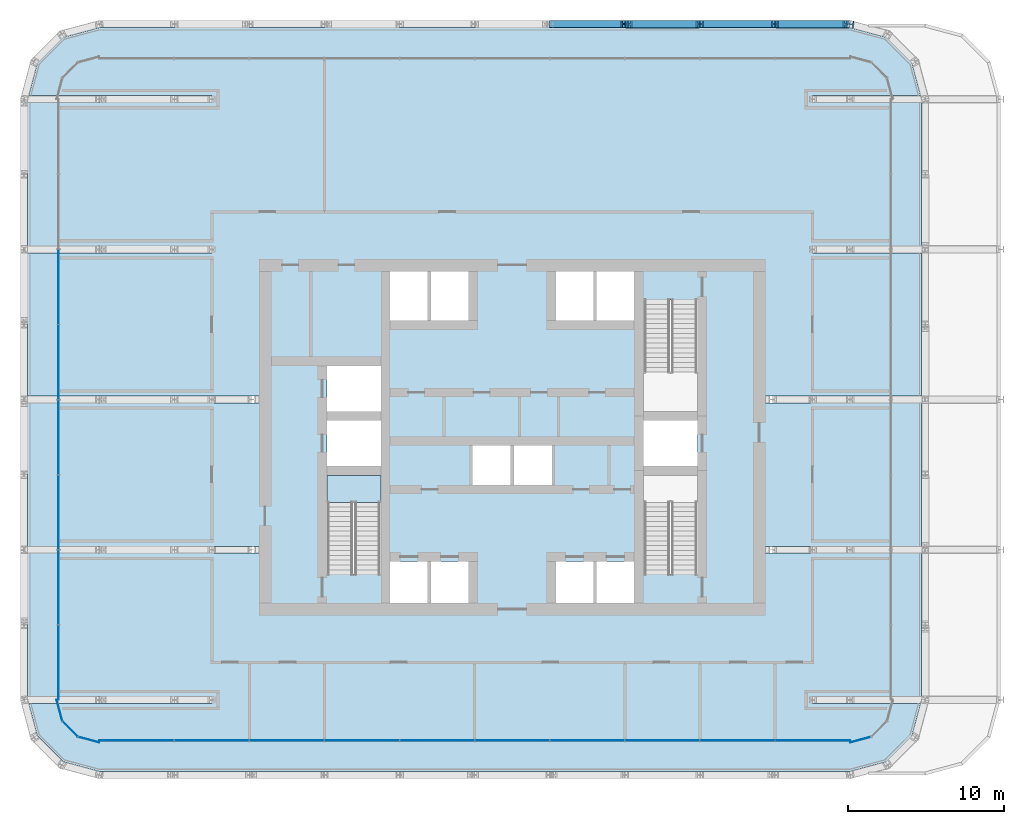
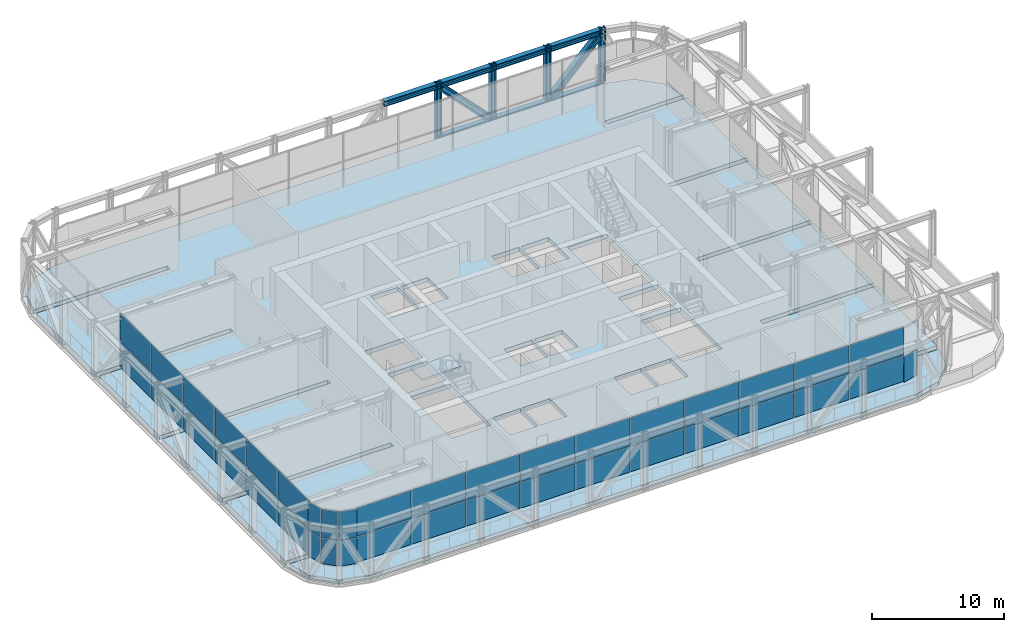
# One storey, part 14 of 25: 39 plates, 13 members, 2 slabs, 5 elements without a shape of their own.
"""IFC4 building model written with IfcOpenShell, lengths in metres."""

from ifc_helpers import new_model, si_unit, direction, frame, origin, origin_2d, place, context, subcontext, project, spatial, polyline, rectangle, i_section, outline, extrude, material, layer, layer_set, material_profile, profile_set, type_object, element, aggregate, save


model = new_model("IFC4")

# Units and contexts
model_context = context("Model", 3, precision=1e-05, world=origin(), true_north=direction((0.0, 1.0)))
body_context = subcontext(model_context, "Body", "Model", "MODEL_VIEW")
ifc_project = project(units=[si_unit("LENGTHUNIT", "METRE"), si_unit("AREAUNIT", "SQUARE_METRE"), si_unit("VOLUMEUNIT", "CUBIC_METRE"), si_unit("PLANEANGLEUNIT", "RADIAN"), si_unit("MASSUNIT", "GRAM", prefix="KILO")], contexts=[model_context])

# Site, building, storey
site_placement = place(None, origin())
site = spatial("IfcSite", under=ifc_project, at=site_placement, CompositionType="ELEMENT")
building_placement = place(site_placement, origin())
building = spatial("IfcBuilding", under=site, at=building_placement, Name="Madar Terraces", CompositionType="ELEMENT")
storey_placement = place(building_placement, frame((0.0, 0.0, 113.699951171875)))
storey = spatial("IfcBuildingStorey", under=building, at=storey_placement, Name="L29", CompositionType="ELEMENT", Elevation=113.699951171875)

# Members
ifc_material_1 = material(Name="Steel ASTM A913 Grade 65", Category="steel")
ifc_material_profile_1 = material_profile(ifc_material_1, i_section(OverallWidth=0.44189453125, OverallDepth=0.53076171875, WebThickness=0.06591796875, FlangeThickness=0.105712890625, at=origin_2d()), Name="W14x605")
ifc_profile_set_1 = profile_set([ifc_material_profile_1], Name="Steel ASTM A913 Grade 65")
member_type_1 = type_object("IfcMemberType", Name="BC4 W14x605", PredefinedType="CHORD", material=ifc_profile_set_1)
for number, where, z_axis, x_axis, name in (
    (1, (52.800048828125, 52.800048828125, -0.154541015625), (-1.0, 0.0, 0.0), (0.0, -1.0, 0.0), "Exoskeleton truss ring bottom chord BC4"),
    (2, (48.0, 52.800048828125, -0.154541015625), (-1.0, 0.0, 0.0), (0.0, -1.0, 0.0), "Exoskeleton truss ring bottom chord BC4"),
    (3, (43.199951171875, 52.800048828125, -0.154541015625), (-1.0, 0.0, 0.0), (0.0, -1.0, 0.0), "Exoskeleton truss ring bottom chord BC4"),
):
    element("IfcMember", number, at=place(storey_placement, frame(where, z_axis=z_axis, x_axis=x_axis)), inside=storey, type_object=member_type_1, Name=name, PredefinedType="CHORD", context=body_context, shape_type="SweptSolid", body=[
        extrude(i_section(OverallWidth=0.44189453125, OverallDepth=0.53076171875, WebThickness=0.06591796875, FlangeThickness=0.105712890625, at=origin_2d()), origin(), (0.0, 0.0, 1.0), 4.800048828125),
    ])
ifc_material_2 = material(Name="Steel ASTM A913 Grade 65", Category="steel")
ifc_material_profile_2 = material_profile(ifc_material_2, i_section(OverallWidth=0.431884765625, OverallDepth=0.497802734375, WebThickness=0.0556640625, FlangeThickness=0.0888671875, at=origin_2d()), Name="W14x500")
ifc_profile_set_2 = profile_set([ifc_material_profile_2], Name="Steel ASTM A913 Grade 65")
member_type_2 = type_object("IfcMemberType", Name="TC4 W14x500", PredefinedType="CHORD", material=ifc_profile_set_2)
for number, where, z_axis, x_axis, name in (
    (4, (52.800048828125, 52.800048828125, 4.78125), (-1.0, 0.0, 0.0), (0.0, -1.0, 0.0), "Exoskeleton truss ring top chord TC4"),
    (5, (48.0, 52.800048828125, 4.78125), (-1.0, 0.0, 0.0), (0.0, -1.0, 0.0), "Exoskeleton truss ring top chord TC4"),
    (6, (43.199951171875, 52.800048828125, 4.78125), (-1.0, 0.0, 0.0), (0.0, -1.0, 0.0), "Exoskeleton truss ring top chord TC4"),
):
    element("IfcMember", number, at=place(storey_placement, frame(where, z_axis=z_axis, x_axis=x_axis)), inside=storey, type_object=member_type_2, Name=name, PredefinedType="CHORD", context=body_context, shape_type="SweptSolid", body=[
        extrude(i_section(OverallWidth=0.431884765625, OverallDepth=0.497802734375, WebThickness=0.0556640625, FlangeThickness=0.0888671875, at=origin_2d()), origin(), (0.0, 0.0, 1.0), 4.800048828125),
    ])
member_1_placement = place(storey_placement, frame((38.39990234375, 52.800048828125, 4.78125), z_axis=(-1.0, 0.0, 0.0), x_axis=(0.0, -1.0, 0.0)))
element("IfcMember", 7, at=member_1_placement, inside=storey, type_object=member_type_2, Name="Exoskeleton truss ring top chord TC4", PredefinedType="CHORD", context=body_context, shape_type="SweptSolid", body=[
    extrude(i_section(OverallWidth=0.431884765625, OverallDepth=0.497802734375, WebThickness=0.0556640625, FlangeThickness=0.0888671875, at=origin_2d()), origin(), (0.0, 0.0, 1.0), 4.7998046875),
])
ifc_material_3 = material(Name="Steel ASTM A913 Grade 65", Category="steel")
ifc_material_profile_3 = material_profile(ifc_material_3, i_section(OverallWidth=0.472412109375, OverallDepth=0.5791015625, WebThickness=0.094970703125, FlangeThickness=0.130126953125, at=origin_2d()), Name="W14x808")
ifc_profile_set_3 = profile_set([ifc_material_profile_3], Name="Steel ASTM A913 Grade 65")
member_type_3 = type_object("IfcMemberType", Name="TD4 W14x808", PredefinedType="BRACE", material=ifc_profile_set_3)
for number, where, z_axis, x_axis, name in (
    (8, (52.557861328125, 52.800048828125, 4.5322265625), (-0.697181267802, 0.0, -0.716894887571), (0.0, -1.0, 0.0), "Exoskeleton truss ring diagonal TD4"),
    (9, (42.94189453125, 52.800048828125, 0.11083984375), (-0.697181267802, 0.0, 0.716894887571), (0.0, -1.0, 0.0), "Exoskeleton truss ring diagonal TD4"),
):
    element("IfcMember", number, at=place(storey_placement, frame(where, z_axis=z_axis, x_axis=x_axis)), inside=storey, type_object=member_type_3, Name=name, PredefinedType="BRACE", context=body_context, shape_type="SweptSolid", body=[
        extrude(i_section(OverallWidth=0.472412109375, OverallDepth=0.5791015625, WebThickness=0.094970703125, FlangeThickness=0.130126953125, at=origin_2d()), origin(), (0.0, 0.0, 1.0), 6.16748046875),
    ])
ifc_material_4 = material(Name="Steel ASTM A913 Grade 65", Category="steel")
ifc_material_profile_4 = material_profile(ifc_material_4, i_section(OverallWidth=0.424072265625, OverallDepth=0.47509765625, WebThickness=0.0478515625, FlangeThickness=0.0771484375, at=origin_2d()), Name="W14x426")
ifc_profile_set_4 = profile_set([ifc_material_profile_4], Name="Steel ASTM A913 Grade 65")
member_type_4 = type_object("IfcMemberType", Name="TV4 W14x426", PredefinedType="POST", material=ifc_profile_set_4)
member_2_placement = place(storey_placement, frame((52.800048828125, 52.800048828125, 0.11083984375), z_axis=(0.0, 0.0, 1.0), x_axis=(-0.130526174916, -0.991444863652, 0.0)))
element("IfcMember", 10, at=member_2_placement, inside=storey, type_object=member_type_4, Name="Exoskeleton truss ring post TV4", PredefinedType="POST", context=body_context, shape_type="SweptSolid", body=[
    extrude(i_section(OverallWidth=0.424072265625, OverallDepth=0.47509765625, WebThickness=0.0478515625, FlangeThickness=0.0771484375, at=origin_2d()), origin(), (0.0, 0.0, 1.0), 4.9892578125),
])
member_3_placement = place(storey_placement, frame((48.0, 52.800048828125, -0.419921875), z_axis=(0.0, 0.0, 1.0), x_axis=(0.0, -1.0, 0.0)))
element("IfcMember", 11, at=member_3_placement, inside=storey, type_object=member_type_4, Name="Exoskeleton truss ring post TV4", PredefinedType="POST", context=body_context, shape_type="SweptSolid", body=[
    extrude(i_section(OverallWidth=0.424072265625, OverallDepth=0.47509765625, WebThickness=0.0478515625, FlangeThickness=0.0771484375, at=origin_2d()), origin(), (0.0, 0.0, 1.0), 5.52001953125),
])
member_4_placement = place(storey_placement, frame((43.199951171875, 52.800048828125, 0.11083984375), z_axis=(0.0, 0.0, 1.0), x_axis=(0.0, -1.0, 0.0)))
element("IfcMember", 12, at=member_4_placement, inside=storey, type_object=member_type_4, Name="Exoskeleton truss ring post TV4", PredefinedType="POST", context=body_context, shape_type="SweptSolid", body=[
    extrude(i_section(OverallWidth=0.424072265625, OverallDepth=0.47509765625, WebThickness=0.0478515625, FlangeThickness=0.0771484375, at=origin_2d()), origin(), (0.0, 0.0, 1.0), 4.9892578125),
])
member_5_placement = place(storey_placement, frame((38.39990234375, 52.800048828125, -0.419921875), z_axis=(0.0, 0.0, 1.0), x_axis=(0.0, -1.0, 0.0)))
element("IfcMember", 13, at=member_5_placement, inside=storey, type_object=member_type_4, Name="Exoskeleton truss ring post TV4", PredefinedType="POST", context=body_context, shape_type="SweptSolid", body=[
    extrude(i_section(OverallWidth=0.424072265625, OverallDepth=0.47509765625, WebThickness=0.0478515625, FlangeThickness=0.0771484375, at=origin_2d()), origin(), (0.0, 0.0, 1.0), 5.52001953125),
])

# Slab
ifc_material_5 = material(Name="Concrete C50/60", Category="concrete")
ifc_layer_1 = layer(ifc_material_5, 0.39990234375)
ifc_layer_set_1 = layer_set([ifc_layer_1], Name="FS6 PT flat slab 400")
slab_type_1 = type_object("IfcSlabType", Name="FS6 PT flat slab 400", PredefinedType="FLOOR", material=ifc_layer_set_1)
slab_1_placement = place(storey_placement, frame((0.0, 0.0, -0.39990234375)))
element("IfcSlab", 14, at=slab_1_placement, inside=storey, type_object=slab_type_1, Name="Floor slab L29 (1)", PredefinedType="FLOOR", context=body_context, shape_type="SweptSolid", body=[
    extrude(outline(polyline([(4.8291015625, 5.02099609375), (52.77099609375, 5.02099609375), (55.085693359375, 5.64111328125), (56.7587890625, 7.314453125), (57.31201171875, 9.37890625), (50.39990234375, 9.37890625), (50.39990234375, 9.821044921875), (57.37890625, 9.821044921875), (57.37890625, 18.97900390625), (47.39990234375, 18.97900390625), (47.39990234375, 19.4208984375), (57.37890625, 19.4208984375), (57.37890625, 28.5791015625), (47.39990234375, 28.5791015625), (47.39990234375, 29.02099609375), (57.37890625, 29.02099609375), (57.37890625, 38.178955078125), (50.39990234375, 38.178955078125), (50.39990234375, 38.62109375), (57.37890625, 38.62109375), (57.37890625, 47.779052734375), (50.39990234375, 47.779052734375), (50.39990234375, 48.220947265625), (57.31201171875, 48.220947265625), (56.7587890625, 50.28564453125), (55.085693359375, 51.958740234375), (52.77099609375, 52.5791015625), (4.8291015625, 52.5791015625), (2.514404296875, 51.958740234375), (0.84130859375, 50.28564453125), (0.2880859375, 48.220947265625), (12.0, 48.220947265625), (12.0, 47.779052734375), (0.220947265625, 47.779052734375), (0.220947265625, 38.62109375), (12.0, 38.62109375), (12.0, 38.178955078125), (0.220947265625, 38.178955078125), (0.220947265625, 29.02099609375), (15.0, 29.02099609375), (15.0, 28.5791015625), (0.220947265625, 28.5791015625), (0.220947265625, 19.4208984375), (15.0, 19.4208984375), (15.0, 18.97900390625), (0.220947265625, 18.97900390625), (0.220947265625, 9.821044921875), (12.0, 9.821044921875), (12.0, 9.37890625), (0.2880859375, 9.37890625), (0.84130859375, 7.314453125), (2.514404296875, 5.64111328125), (4.8291015625, 5.02099609375)]), holes=[polyline([(23.39990234375, 15.800048828125), (23.39990234375, 18.449951171875), (25.800048828125, 18.449951171875), (25.800048828125, 15.800048828125), (23.39990234375, 15.800048828125)]), polyline([(26.0, 15.800048828125), (26.0, 18.449951171875), (28.39990234375, 18.449951171875), (28.39990234375, 15.800048828125), (26.0, 15.800048828125)]), polyline([(19.35009765625, 17.64990234375), (19.35009765625, 23.949951171875), (22.800048828125, 23.949951171875), (22.800048828125, 17.64990234375), (19.35009765625, 17.64990234375)]), polyline([(28.666748046875, 23.35009765625), (28.666748046875, 25.85009765625), (31.10009765625, 25.85009765625), (31.10009765625, 23.35009765625), (28.666748046875, 23.35009765625)]), polyline([(19.35009765625, 24.550048828125), (19.35009765625, 27.449951171875), (22.800048828125, 27.449951171875), (22.800048828125, 24.550048828125), (19.35009765625, 24.550048828125)]), polyline([(19.35009765625, 28.050048828125), (19.35009765625, 30.949951171875), (22.800048828125, 30.949951171875), (22.800048828125, 28.050048828125), (19.35009765625, 28.050048828125)]), polyline([(23.39990234375, 33.85009765625), (23.39990234375, 37.0), (25.800048828125, 37.0), (25.800048828125, 33.85009765625), (23.39990234375, 33.85009765625)]), polyline([(26.0, 33.85009765625), (26.0, 37.0), (28.39990234375, 37.0), (28.39990234375, 33.85009765625), (26.0, 33.85009765625)]), polyline([(34.0, 15.800048828125), (34.0, 18.449951171875), (36.39990234375, 18.449951171875), (36.39990234375, 15.800048828125), (34.0, 15.800048828125)]), polyline([(36.60009765625, 15.800048828125), (36.60009765625, 18.449951171875), (39.0, 18.449951171875), (39.0, 15.800048828125), (36.60009765625, 15.800048828125)]), polyline([(39.60009765625, 17.64990234375), (39.60009765625, 23.949951171875), (43.050048828125, 23.949951171875), (43.050048828125, 17.64990234375), (39.60009765625, 17.64990234375)]), polyline([(31.300048828125, 23.35009765625), (31.300048828125, 25.85009765625), (33.7333984375, 25.85009765625), (33.7333984375, 23.35009765625), (31.300048828125, 23.35009765625)]), polyline([(39.60009765625, 24.550048828125), (39.60009765625, 27.449951171875), (43.050048828125, 27.449951171875), (43.050048828125, 24.550048828125), (39.60009765625, 24.550048828125)]), polyline([(39.60009765625, 28.050048828125), (39.60009765625, 35.14990234375), (43.050048828125, 35.14990234375), (43.050048828125, 28.050048828125), (39.60009765625, 28.050048828125)]), polyline([(34.0, 33.85009765625), (34.0, 37.0), (36.39990234375, 37.0), (36.39990234375, 33.85009765625), (34.0, 33.85009765625)]), polyline([(36.60009765625, 33.85009765625), (36.60009765625, 37.0), (39.0, 37.0), (39.0, 33.85009765625), (36.60009765625, 33.85009765625)])]), origin(), (0.0, 0.0, 1.0), 0.39990234375),
])

# Curtain wall, plates
ifc_material_6 = material(Name="Glass, ceramic frit dark grey, with black aluminium frame", Category="aluminium")
ifc_layer_2 = layer(ifc_material_6, 0.199951171875)
ifc_layer_set_2 = layer_set([ifc_layer_2], Name="Facade curtain wall, tall glazing")
curtain_wall_type = type_object("IfcCurtainWallType", Name="Facade curtain wall, tall glazing", PredefinedType="NOTDEFINED", material=ifc_layer_set_2)
curtain_wall_1_placement = place(storey_placement, origin())
curtain_wall_1 = element("IfcCurtainWall", 15, at=curtain_wall_1_placement, inside=storey, type_object=curtain_wall_type, Name="Outer skin curtain wall south bay 1", PredefinedType="NOTDEFINED")
ifc_material_7 = material(Name="Glass, ceramic frit dark grey", Category="glass")
ifc_layer_3 = layer(ifc_material_7, 0.028076171875)
ifc_layer_set_3 = layer_set([ifc_layer_3], Name="Facade glass panel 28")
plate_type = type_object("IfcPlateType", Name="Facade glass panel 28", PredefinedType="CURTAIN_PANEL", material=ifc_layer_set_3)
plate_1_placement = place(storey_placement, frame((7.18505859375, 7.0, 0.0), z_axis=(0.0, 0.0, 1.0), x_axis=(1.0, 0.0, 0.0)))
plate_1 = element("IfcPlate", 16, at=plate_1_placement, type_object=plate_type, Name="Panel 1", PredefinedType="CURTAIN_PANEL", context=body_context, shape_type="SweptSolid", body=[
    extrude(rectangle(XDim=4.77001953125, YDim=0.028076171875, at=origin_2d()), origin(), (0.0, 0.0, 1.0), 2.3701171875),
])
plate_2_placement = place(storey_placement, frame((7.18505859375, 7.0, 2.43017578125), z_axis=(0.0, 0.0, 1.0), x_axis=(1.0, 0.0, 0.0)))
plate_2 = element("IfcPlate", 17, at=plate_2_placement, type_object=plate_type, Name="Panel 2", PredefinedType="CURTAIN_PANEL", context=body_context, shape_type="SweptSolid", body=[
    extrude(rectangle(XDim=4.77001953125, YDim=0.028076171875, at=origin_2d()), origin(), (0.0, 0.0, 1.0), 2.610107421875),
])
plate_3_placement = place(storey_placement, frame((12.0, 7.0, 0.0), z_axis=(0.0, 0.0, 1.0), x_axis=(1.0, 0.0, 0.0)))
plate_3 = element("IfcPlate", 18, at=plate_3_placement, type_object=plate_type, Name="Panel 3", PredefinedType="CURTAIN_PANEL", context=body_context, shape_type="SweptSolid", body=[
    extrude(rectangle(XDim=4.739990234375, YDim=0.028076171875, at=origin_2d()), origin(), (0.0, 0.0, 1.0), 2.3701171875),
])
plate_4_placement = place(storey_placement, frame((12.0, 7.0, 2.43017578125), z_axis=(0.0, 0.0, 1.0), x_axis=(1.0, 0.0, 0.0)))
plate_4 = element("IfcPlate", 19, at=plate_4_placement, type_object=plate_type, Name="Panel 4", PredefinedType="CURTAIN_PANEL", context=body_context, shape_type="SweptSolid", body=[
    extrude(rectangle(XDim=4.739990234375, YDim=0.028076171875, at=origin_2d()), origin(), (0.0, 0.0, 1.0), 2.610107421875),
])
plate_5_placement = place(storey_placement, frame((16.800048828125, 7.0, 0.0), z_axis=(0.0, 0.0, 1.0), x_axis=(1.0, 0.0, 0.0)))
plate_5 = element("IfcPlate", 20, at=plate_5_placement, type_object=plate_type, Name="Panel 5", PredefinedType="CURTAIN_PANEL", context=body_context, shape_type="SweptSolid", body=[
    extrude(rectangle(XDim=4.739990234375, YDim=0.028076171875, at=origin_2d()), origin(), (0.0, 0.0, 1.0), 2.3701171875),
])
plate_6_placement = place(storey_placement, frame((16.800048828125, 7.0, 2.43017578125), z_axis=(0.0, 0.0, 1.0), x_axis=(1.0, 0.0, 0.0)))
plate_6 = element("IfcPlate", 21, at=plate_6_placement, type_object=plate_type, Name="Panel 6", PredefinedType="CURTAIN_PANEL", context=body_context, shape_type="SweptSolid", body=[
    extrude(rectangle(XDim=4.739990234375, YDim=0.028076171875, at=origin_2d()), origin(), (0.0, 0.0, 1.0), 2.610107421875),
])
plate_7_placement = place(storey_placement, frame((21.60009765625, 7.0, 0.0), z_axis=(0.0, 0.0, 1.0), x_axis=(1.0, 0.0, 0.0)))
plate_7 = element("IfcPlate", 22, at=plate_7_placement, type_object=plate_type, Name="Panel 7", PredefinedType="CURTAIN_PANEL", context=body_context, shape_type="SweptSolid", body=[
    extrude(rectangle(XDim=4.739990234375, YDim=0.028076171875, at=origin_2d()), origin(), (0.0, 0.0, 1.0), 2.3701171875),
])
plate_8_placement = place(storey_placement, frame((21.60009765625, 7.0, 2.43017578125), z_axis=(0.0, 0.0, 1.0), x_axis=(1.0, 0.0, 0.0)))
plate_8 = element("IfcPlate", 23, at=plate_8_placement, type_object=plate_type, Name="Panel 8", PredefinedType="CURTAIN_PANEL", context=body_context, shape_type="SweptSolid", body=[
    extrude(rectangle(XDim=4.739990234375, YDim=0.028076171875, at=origin_2d()), origin(), (0.0, 0.0, 1.0), 2.610107421875),
])
plate_9_placement = place(storey_placement, frame((26.39990234375, 7.0, 0.0), z_axis=(0.0, 0.0, 1.0), x_axis=(1.0, 0.0, 0.0)))
plate_9 = element("IfcPlate", 24, at=plate_9_placement, type_object=plate_type, Name="Panel 9", PredefinedType="CURTAIN_PANEL", context=body_context, shape_type="SweptSolid", body=[
    extrude(rectangle(XDim=4.739990234375, YDim=0.028076171875, at=origin_2d()), origin(), (0.0, 0.0, 1.0), 2.3701171875),
])
plate_10_placement = place(storey_placement, frame((26.39990234375, 7.0, 2.43017578125), z_axis=(0.0, 0.0, 1.0), x_axis=(1.0, 0.0, 0.0)))
plate_10 = element("IfcPlate", 25, at=plate_10_placement, type_object=plate_type, Name="Panel 10", PredefinedType="CURTAIN_PANEL", context=body_context, shape_type="SweptSolid", body=[
    extrude(rectangle(XDim=4.739990234375, YDim=0.028076171875, at=origin_2d()), origin(), (0.0, 0.0, 1.0), 2.610107421875),
])
plate_11_placement = place(storey_placement, frame((31.199951171875, 7.0, 0.0), z_axis=(0.0, 0.0, 1.0), x_axis=(1.0, 0.0, 0.0)))
plate_11 = element("IfcPlate", 26, at=plate_11_placement, type_object=plate_type, Name="Panel 11", PredefinedType="CURTAIN_PANEL", context=body_context, shape_type="SweptSolid", body=[
    extrude(rectangle(XDim=4.739990234375, YDim=0.028076171875, at=origin_2d()), origin(), (0.0, 0.0, 1.0), 2.3701171875),
])
plate_12_placement = place(storey_placement, frame((31.199951171875, 7.0, 2.43017578125), z_axis=(0.0, 0.0, 1.0), x_axis=(1.0, 0.0, 0.0)))
plate_12 = element("IfcPlate", 27, at=plate_12_placement, type_object=plate_type, Name="Panel 12", PredefinedType="CURTAIN_PANEL", context=body_context, shape_type="SweptSolid", body=[
    extrude(rectangle(XDim=4.739990234375, YDim=0.028076171875, at=origin_2d()), origin(), (0.0, 0.0, 1.0), 2.610107421875),
])
plate_13_placement = place(storey_placement, frame((36.0, 7.0, 0.0), z_axis=(0.0, 0.0, 1.0), x_axis=(1.0, 0.0, 0.0)))
plate_13 = element("IfcPlate", 28, at=plate_13_placement, type_object=plate_type, Name="Panel 13", PredefinedType="CURTAIN_PANEL", context=body_context, shape_type="SweptSolid", body=[
    extrude(rectangle(XDim=4.739990234375, YDim=0.028076171875, at=origin_2d()), origin(), (0.0, 0.0, 1.0), 2.3701171875),
])
plate_14_placement = place(storey_placement, frame((36.0, 7.0, 2.43017578125), z_axis=(0.0, 0.0, 1.0), x_axis=(1.0, 0.0, 0.0)))
plate_14 = element("IfcPlate", 29, at=plate_14_placement, type_object=plate_type, Name="Panel 14", PredefinedType="CURTAIN_PANEL", context=body_context, shape_type="SweptSolid", body=[
    extrude(rectangle(XDim=4.739990234375, YDim=0.028076171875, at=origin_2d()), origin(), (0.0, 0.0, 1.0), 2.610107421875),
])
plate_15_placement = place(storey_placement, frame((40.800048828125, 7.0, 0.0), z_axis=(0.0, 0.0, 1.0), x_axis=(1.0, 0.0, 0.0)))
plate_15 = element("IfcPlate", 30, at=plate_15_placement, type_object=plate_type, Name="Panel 15", PredefinedType="CURTAIN_PANEL", context=body_context, shape_type="SweptSolid", body=[
    extrude(rectangle(XDim=4.739990234375, YDim=0.028076171875, at=origin_2d()), origin(), (0.0, 0.0, 1.0), 2.3701171875),
])
plate_16_placement = place(storey_placement, frame((40.800048828125, 7.0, 2.43017578125), z_axis=(0.0, 0.0, 1.0), x_axis=(1.0, 0.0, 0.0)))
plate_16 = element("IfcPlate", 31, at=plate_16_placement, type_object=plate_type, Name="Panel 16", PredefinedType="CURTAIN_PANEL", context=body_context, shape_type="SweptSolid", body=[
    extrude(rectangle(XDim=4.739990234375, YDim=0.028076171875, at=origin_2d()), origin(), (0.0, 0.0, 1.0), 2.610107421875),
])
plate_17_placement = place(storey_placement, frame((45.60009765625, 7.0, 0.0), z_axis=(0.0, 0.0, 1.0), x_axis=(1.0, 0.0, 0.0)))
plate_17 = element("IfcPlate", 32, at=plate_17_placement, type_object=plate_type, Name="Panel 17", PredefinedType="CURTAIN_PANEL", context=body_context, shape_type="SweptSolid", body=[
    extrude(rectangle(XDim=4.739990234375, YDim=0.028076171875, at=origin_2d()), origin(), (0.0, 0.0, 1.0), 2.3701171875),
])
plate_18_placement = place(storey_placement, frame((45.60009765625, 7.0, 2.43017578125), z_axis=(0.0, 0.0, 1.0), x_axis=(1.0, 0.0, 0.0)))
plate_18 = element("IfcPlate", 33, at=plate_18_placement, type_object=plate_type, Name="Panel 18", PredefinedType="CURTAIN_PANEL", context=body_context, shape_type="SweptSolid", body=[
    extrude(rectangle(XDim=4.739990234375, YDim=0.028076171875, at=origin_2d()), origin(), (0.0, 0.0, 1.0), 2.610107421875),
])
plate_19_placement = place(storey_placement, frame((50.4150390625, 7.0, 0.0), z_axis=(0.0, 0.0, 1.0), x_axis=(1.0, 0.0, 0.0)))
plate_19 = element("IfcPlate", 34, at=plate_19_placement, type_object=plate_type, Name="Panel 19", PredefinedType="CURTAIN_PANEL", context=body_context, shape_type="SweptSolid", body=[
    extrude(rectangle(XDim=4.77001953125, YDim=0.028076171875, at=origin_2d()), origin(), (0.0, 0.0, 1.0), 2.3701171875),
])
plate_20_placement = place(storey_placement, frame((50.4150390625, 7.0, 2.43017578125), z_axis=(0.0, 0.0, 1.0), x_axis=(1.0, 0.0, 0.0)))
plate_20 = element("IfcPlate", 35, at=plate_20_placement, type_object=plate_type, Name="Panel 20", PredefinedType="CURTAIN_PANEL", context=body_context, shape_type="SweptSolid", body=[
    extrude(rectangle(XDim=4.77001953125, YDim=0.028076171875, at=origin_2d()), origin(), (0.0, 0.0, 1.0), 2.610107421875),
])
aggregate(curtain_wall_1, [plate_1, plate_2, plate_3, plate_4, plate_5, plate_6, plate_7, plate_8, plate_9, plate_10, plate_11, plate_12, plate_13, plate_14, plate_15, plate_16, plate_17, plate_18, plate_19, plate_20])

curtain_wall_2_placement = place(storey_placement, origin())
curtain_wall_2 = element("IfcCurtainWall", 36, at=curtain_wall_2_placement, inside=storey, type_object=curtain_wall_type, Name="Outer skin curtain wall west bay 1", PredefinedType="NOTDEFINED")
plate_21_placement = place(storey_placement, frame((2.199951171875, 36.0, 0.0), z_axis=(0.0, 0.0, 1.0), x_axis=(0.0, -1.0, 0.0)))
plate_21 = element("IfcPlate", 37, at=plate_21_placement, type_object=plate_type, Name="Panel 5", PredefinedType="CURTAIN_PANEL", context=body_context, shape_type="SweptSolid", body=[
    extrude(rectangle(XDim=4.739990234375, YDim=0.028076171875, at=origin_2d()), origin(), (0.0, 0.0, 1.0), 2.3701171875),
])
plate_22_placement = place(storey_placement, frame((2.199951171875, 36.0, 2.43017578125), z_axis=(0.0, 0.0, 1.0), x_axis=(0.0, -1.0, 0.0)))
plate_22 = element("IfcPlate", 38, at=plate_22_placement, type_object=plate_type, Name="Panel 6", PredefinedType="CURTAIN_PANEL", context=body_context, shape_type="SweptSolid", body=[
    extrude(rectangle(XDim=4.739990234375, YDim=0.028076171875, at=origin_2d()), origin(), (0.0, 0.0, 1.0), 2.610107421875),
])
plate_23_placement = place(storey_placement, frame((2.199951171875, 31.199951171875, 0.0), z_axis=(0.0, 0.0, 1.0), x_axis=(0.0, -1.0, 0.0)))
plate_23 = element("IfcPlate", 39, at=plate_23_placement, type_object=plate_type, Name="Panel 7", PredefinedType="CURTAIN_PANEL", context=body_context, shape_type="SweptSolid", body=[
    extrude(rectangle(XDim=4.739990234375, YDim=0.028076171875, at=origin_2d()), origin(), (0.0, 0.0, 1.0), 2.3701171875),
])
plate_24_placement = place(storey_placement, frame((2.199951171875, 31.199951171875, 2.43017578125), z_axis=(0.0, 0.0, 1.0), x_axis=(0.0, -1.0, 0.0)))
plate_24 = element("IfcPlate", 40, at=plate_24_placement, type_object=plate_type, Name="Panel 8", PredefinedType="CURTAIN_PANEL", context=body_context, shape_type="SweptSolid", body=[
    extrude(rectangle(XDim=4.739990234375, YDim=0.028076171875, at=origin_2d()), origin(), (0.0, 0.0, 1.0), 2.610107421875),
])
plate_25_placement = place(storey_placement, frame((2.199951171875, 26.39990234375, 0.0), z_axis=(0.0, 0.0, 1.0), x_axis=(0.0, -1.0, 0.0)))
plate_25 = element("IfcPlate", 41, at=plate_25_placement, type_object=plate_type, Name="Panel 9", PredefinedType="CURTAIN_PANEL", context=body_context, shape_type="SweptSolid", body=[
    extrude(rectangle(XDim=4.739990234375, YDim=0.028076171875, at=origin_2d()), origin(), (0.0, 0.0, 1.0), 2.3701171875),
])
plate_26_placement = place(storey_placement, frame((2.199951171875, 26.39990234375, 2.43017578125), z_axis=(0.0, 0.0, 1.0), x_axis=(0.0, -1.0, 0.0)))
plate_26 = element("IfcPlate", 42, at=plate_26_placement, type_object=plate_type, Name="Panel 10", PredefinedType="CURTAIN_PANEL", context=body_context, shape_type="SweptSolid", body=[
    extrude(rectangle(XDim=4.739990234375, YDim=0.028076171875, at=origin_2d()), origin(), (0.0, 0.0, 1.0), 2.610107421875),
])
plate_27_placement = place(storey_placement, frame((2.199951171875, 21.60009765625, 0.0), z_axis=(0.0, 0.0, 1.0), x_axis=(0.0, -1.0, 0.0)))
plate_27 = element("IfcPlate", 43, at=plate_27_placement, type_object=plate_type, Name="Panel 11", PredefinedType="CURTAIN_PANEL", context=body_context, shape_type="SweptSolid", body=[
    extrude(rectangle(XDim=4.739990234375, YDim=0.028076171875, at=origin_2d()), origin(), (0.0, 0.0, 1.0), 2.3701171875),
])
plate_28_placement = place(storey_placement, frame((2.199951171875, 21.60009765625, 2.43017578125), z_axis=(0.0, 0.0, 1.0), x_axis=(0.0, -1.0, 0.0)))
plate_28 = element("IfcPlate", 44, at=plate_28_placement, type_object=plate_type, Name="Panel 12", PredefinedType="CURTAIN_PANEL", context=body_context, shape_type="SweptSolid", body=[
    extrude(rectangle(XDim=4.739990234375, YDim=0.028076171875, at=origin_2d()), origin(), (0.0, 0.0, 1.0), 2.610107421875),
])
plate_29_placement = place(storey_placement, frame((2.199951171875, 16.800048828125, 0.0), z_axis=(0.0, 0.0, 1.0), x_axis=(0.0, -1.0, 0.0)))
plate_29 = element("IfcPlate", 45, at=plate_29_placement, type_object=plate_type, Name="Panel 13", PredefinedType="CURTAIN_PANEL", context=body_context, shape_type="SweptSolid", body=[
    extrude(rectangle(XDim=4.739990234375, YDim=0.028076171875, at=origin_2d()), origin(), (0.0, 0.0, 1.0), 2.3701171875),
])
plate_30_placement = place(storey_placement, frame((2.199951171875, 16.800048828125, 2.43017578125), z_axis=(0.0, 0.0, 1.0), x_axis=(0.0, -1.0, 0.0)))
plate_30 = element("IfcPlate", 46, at=plate_30_placement, type_object=plate_type, Name="Panel 14", PredefinedType="CURTAIN_PANEL", context=body_context, shape_type="SweptSolid", body=[
    extrude(rectangle(XDim=4.739990234375, YDim=0.028076171875, at=origin_2d()), origin(), (0.0, 0.0, 1.0), 2.610107421875),
])
plate_31_placement = place(storey_placement, frame((2.199951171875, 11.985107421875, 0.0), z_axis=(0.0, 0.0, 1.0), x_axis=(0.0, -1.0, 0.0)))
plate_31 = element("IfcPlate", 47, at=plate_31_placement, type_object=plate_type, Name="Panel 15", PredefinedType="CURTAIN_PANEL", context=body_context, shape_type="SweptSolid", body=[
    extrude(rectangle(XDim=4.77001953125, YDim=0.028076171875, at=origin_2d()), origin(), (0.0, 0.0, 1.0), 2.3701171875),
])
plate_32_placement = place(storey_placement, frame((2.199951171875, 11.985107421875, 2.43017578125), z_axis=(0.0, 0.0, 1.0), x_axis=(0.0, -1.0, 0.0)))
plate_32 = element("IfcPlate", 48, at=plate_32_placement, type_object=plate_type, Name="Panel 16", PredefinedType="CURTAIN_PANEL", context=body_context, shape_type="SweptSolid", body=[
    extrude(rectangle(XDim=4.77001953125, YDim=0.028076171875, at=origin_2d()), origin(), (0.0, 0.0, 1.0), 2.610107421875),
])
aggregate(curtain_wall_2, [plate_21, plate_22, plate_23, plate_24, plate_25, plate_26, plate_27, plate_28, plate_29, plate_30, plate_31, plate_32])

# Curtain wall, plate
curtain_wall_3_placement = place(storey_placement, origin())
curtain_wall_3 = element("IfcCurtainWall", 49, at=curtain_wall_3_placement, inside=storey, type_object=curtain_wall_type, Name="Outer skin curtain wall south-east corner", PredefinedType="NOTDEFINED")
plate_33_placement = place(storey_placement, frame((53.465576171875, 7.058349609375, 0.0), z_axis=(0.0, 0.0, 1.0), x_axis=(0.965925808834, 0.258819110244, 0.0)))
plate_33 = element("IfcPlate", 50, at=plate_33_placement, type_object=plate_type, Name="Panel 1", PredefinedType="CURTAIN_PANEL", context=body_context, shape_type="SweptSolid", body=[
    extrude(rectangle(XDim=1.3779296875, YDim=0.028076171875, at=origin_2d()), origin(), (0.0, 0.0, 1.0), 2.3701171875),
])
aggregate(curtain_wall_3, [plate_33])

# Curtain wall, plates
curtain_wall_4_placement = place(storey_placement, origin())
curtain_wall_4 = element("IfcCurtainWall", 51, at=curtain_wall_4_placement, inside=storey, type_object=curtain_wall_type, Name="Outer skin curtain wall south-west corner", PredefinedType="NOTDEFINED")
plate_34_placement = place(storey_placement, frame((2.25830078125, 8.9345703125, 0.0), z_axis=(0.0, 0.0, 1.0), x_axis=(0.258819110244, -0.965925808834, 0.0)))
plate_34 = element("IfcPlate", 52, at=plate_34_placement, type_object=plate_type, Name="Panel 1", PredefinedType="CURTAIN_PANEL", context=body_context, shape_type="SweptSolid", body=[
    extrude(rectangle(XDim=1.3779296875, YDim=0.028076171875, at=origin_2d()), origin(), (0.0, 0.0, 1.0), 2.3701171875),
])
plate_35_placement = place(storey_placement, frame((2.25830078125, 8.9345703125, 2.43017578125), z_axis=(0.0, 0.0, 1.0), x_axis=(0.258819110244, -0.965925808834, 0.0)))
plate_35 = element("IfcPlate", 53, at=plate_35_placement, type_object=plate_type, Name="Panel 2", PredefinedType="CURTAIN_PANEL", context=body_context, shape_type="SweptSolid", body=[
    extrude(rectangle(XDim=1.3779296875, YDim=0.028076171875, at=origin_2d()), origin(), (0.0, 0.0, 1.0), 2.610107421875),
])
plate_36_placement = place(storey_placement, frame((2.942138671875, 7.7421875, 0.0), z_axis=(0.0, 0.0, 1.0), x_axis=(0.707106781187, -0.707106781187, 0.0)))
plate_36 = element("IfcPlate", 54, at=plate_36_placement, type_object=plate_type, Name="Panel 3", PredefinedType="CURTAIN_PANEL", context=body_context, shape_type="SweptSolid", body=[
    extrude(rectangle(XDim=1.347900390625, YDim=0.028076171875, at=origin_2d()), origin(), (0.0, 0.0, 1.0), 2.3701171875),
])
plate_37_placement = place(storey_placement, frame((2.942138671875, 7.7421875, 2.43017578125), z_axis=(0.0, 0.0, 1.0), x_axis=(0.707106781187, -0.707106781187, 0.0)))
plate_37 = element("IfcPlate", 55, at=plate_37_placement, type_object=plate_type, Name="Panel 4", PredefinedType="CURTAIN_PANEL", context=body_context, shape_type="SweptSolid", body=[
    extrude(rectangle(XDim=1.347900390625, YDim=0.028076171875, at=origin_2d()), origin(), (0.0, 0.0, 1.0), 2.610107421875),
])
plate_38_placement = place(storey_placement, frame((4.134521484375, 7.058349609375, 0.0), z_axis=(0.0, 0.0, 1.0), x_axis=(0.965925808834, -0.258819110244, 0.0)))
plate_38 = element("IfcPlate", 56, at=plate_38_placement, type_object=plate_type, Name="Panel 5", PredefinedType="CURTAIN_PANEL", context=body_context, shape_type="SweptSolid", body=[
    extrude(rectangle(XDim=1.3779296875, YDim=0.028076171875, at=origin_2d()), origin(), (0.0, 0.0, 1.0), 2.3701171875),
])
plate_39_placement = place(storey_placement, frame((4.134521484375, 7.058349609375, 2.43017578125), z_axis=(0.0, 0.0, 1.0), x_axis=(0.965925808834, -0.258819110244, 0.0)))
plate_39 = element("IfcPlate", 57, at=plate_39_placement, type_object=plate_type, Name="Panel 6", PredefinedType="CURTAIN_PANEL", context=body_context, shape_type="SweptSolid", body=[
    extrude(rectangle(XDim=1.3779296875, YDim=0.028076171875, at=origin_2d()), origin(), (0.0, 0.0, 1.0), 2.610107421875),
])
aggregate(curtain_wall_4, [plate_34, plate_35, plate_36, plate_37, plate_38, plate_39])

# Stair, slab
ifc_material_8 = material(Name="Concrete C50/60", Category="concrete")
stair_type = type_object("IfcStairType", Name="Stair ST1 protected exit", PredefinedType="HALF_TURN_STAIR", material=ifc_material_8)
stair_placement = place(storey_placement, origin())
stair = element("IfcStair", 58, at=stair_placement, inside=storey, type_object=stair_type, Name="L29 Protected Exit Stair ST1", PredefinedType="HALF_TURN_STAIR")
ifc_material_9 = material(Name="Concrete C50/60", Category="concrete")
ifc_layer_4 = layer(ifc_material_9, 0.199951171875)
ifc_layer_set_4 = layer_set([ifc_layer_4], Name="Stair landing 200, top +2.70")
slab_type_2 = type_object("IfcSlabType", Name="Stair landing 200, top +2.70", PredefinedType="LANDING", material=ifc_layer_set_4)
slab_2_placement = place(storey_placement, frame((0.0, 0.0, 2.5)))
slab_2 = element("IfcSlab", 59, at=slab_2_placement, type_object=slab_type_2, Name="ST1 landing 1", PredefinedType="LANDING", context=body_context, shape_type="SweptSolid", body=[
    extrude(outline(polyline([(19.35009765625, 22.219970703125), (22.800048828125, 22.219970703125), (22.800048828125, 23.949951171875), (19.35009765625, 23.949951171875), (19.35009765625, 22.219970703125)])), origin(), (0.0, 0.0, 1.0), 0.199951171875),
])
aggregate(stair, [slab_2])

save(model, "model.ifc")
